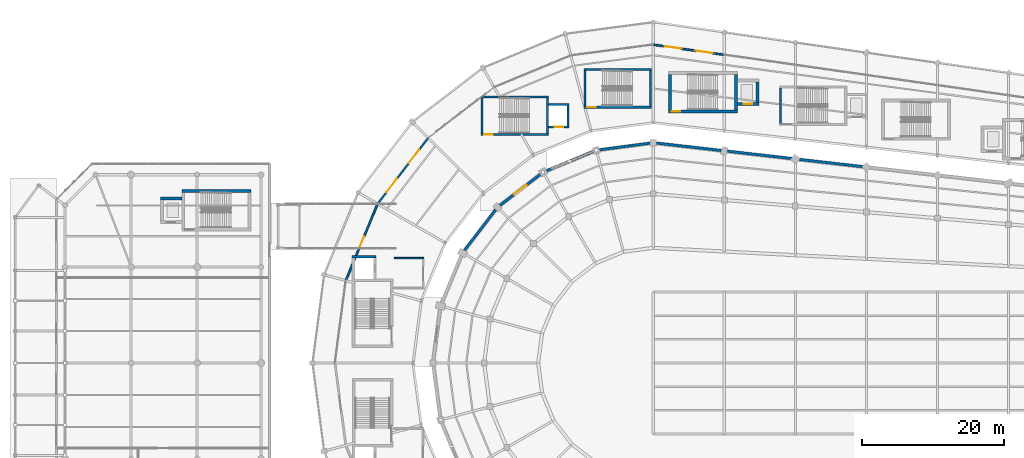
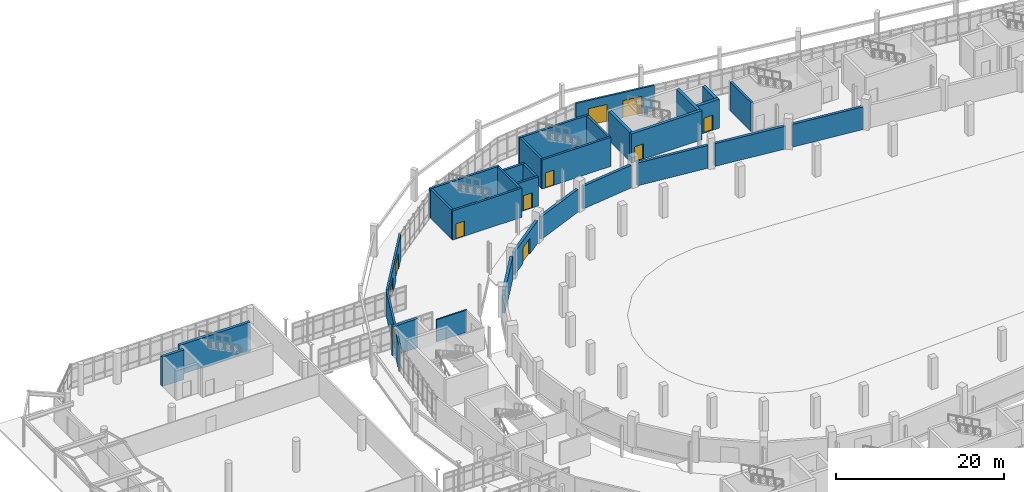
# One storey, part 104 of 122: 31 walls, 11 doors, 11 openings.
"""IFC4 building model written with IfcOpenShell, lengths in metres."""

from ifc_helpers import new_model, si_unit, direction, frame, frame_2d, origin, place, context, subcontext, project, spatial, rectangle, extrude, material, layer, layer_set, type_object, element, fill, save


model = new_model("IFC4")

# Units and contexts
model_context = context("Model", 3, precision=1e-05, world=origin(), true_north=direction((0.0, 1.0)))
body_context = subcontext(model_context, "Body", "Model", "MODEL_VIEW")
ifc_project = project(units=[si_unit("LENGTHUNIT", "METRE"), si_unit("AREAUNIT", "SQUARE_METRE"), si_unit("VOLUMEUNIT", "CUBIC_METRE"), si_unit("PLANEANGLEUNIT", "RADIAN"), si_unit("MASSUNIT", "GRAM", prefix="KILO")], contexts=[model_context])

# Site, building, storey
site_placement = place(None, origin())
site = spatial("IfcSite", under=ifc_project, at=site_placement, CompositionType="ELEMENT")
building_placement = place(site_placement, origin())
building = spatial("IfcBuilding", under=site, at=building_placement, Name="Sohan Crest Arena", CompositionType="ELEMENT")
storey_placement = place(building_placement, origin())
storey = spatial("IfcBuildingStorey", under=building, at=storey_placement, Name="L00", CompositionType="ELEMENT", Elevation=0.0)

# Wall, openings, doors
ifc_material_1 = material(Name="Margalla limestone ashlar envelope wall", Category="masonry")
ifc_layer_1 = layer(ifc_material_1, 0.260009765625, Name="Margalla limestone ashlar envelope wall")
ifc_layer_set_1 = layer_set([ifc_layer_1], Name="Margalla limestone ashlar envelope wall")
wall_type_1 = type_object("IfcWallType", Name="WAL-EW01", PredefinedType="SOLIDWALL", material=ifc_layer_set_1)
wall_1_placement = place(storey_placement, frame((66.322021484375, 109.677978515625, 0.0), z_axis=(0.0, 0.0, 1.0), x_axis=(-0.608804425344, -0.793320346192, 0.0)))
wall_1 = element("IfcWall", 1, at=wall_1_placement, inside=storey, type_object=wall_type_1, Name="External wall EW-073", PredefinedType="SOLIDWALL", context=body_context, shape_type="SweptSolid", body=[
    extrude(rectangle(XDim=11.6953125, YDim=0.260009765625, at=frame_2d((5.84765625, 0.0))), origin(), (0.0, 0.0, 1.0), 3.679931640625),
])
opening_1_placement = place(wall_1_placement, frame((2.074951171875, 0.0, 0.0)))
opening_1 = element("IfcOpeningElement", 2, at=opening_1_placement, cuts=wall_1, Name="Opening G01", PredefinedType="OPENING", context=body_context, shape_type="SweptSolid", body=[
    extrude(rectangle(XDim=2.39990234375, YDim=2.5, at=frame_2d((1.199951171875, 1.25))), frame((0.0, 0.139892578125, 0.0), z_axis=(0.0, -1.0, 0.0), x_axis=(1.0, 0.0, 0.0)), (0.0, 0.0, 1.0), 0.280029296875),
])
opening_2_placement = place(wall_1_placement, frame((7.219970703125, 0.0, 0.0)))
opening_2 = element("IfcOpeningElement", 3, at=opening_2_placement, cuts=wall_1, Name="Opening G02", PredefinedType="OPENING", context=body_context, shape_type="SweptSolid", body=[
    extrude(rectangle(XDim=2.39990234375, YDim=2.5, at=frame_2d((1.199951171875, 1.25))), frame((0.0, 0.139892578125, 0.0), z_axis=(0.0, -1.0, 0.0), x_axis=(1.0, 0.0, 0.0)), (0.0, 0.0, 1.0), 0.280029296875),
])
ifc_material_2 = material(Name="Galvanised steel acoustic final exit door", Category="steel")
door_type_1 = type_object("IfcDoorType", Name="DR-G01", OperationType="DOUBLE_DOOR_SINGLE_SWING", PredefinedType="DOOR", material=ifc_material_2)
door_1_placement = place(opening_1_placement, frame((2.39990234375, 0.0, 0.0), z_axis=(0.0, 0.0, 1.0), x_axis=(-1.0, 0.0, 0.0)))
door_1 = element("IfcDoor", 4, at=door_1_placement, inside=storey, type_object=door_type_1, Name="Pedestrian exit gate G01", OperationType="DOUBLE_DOOR_SINGLE_SWING", OverallHeight=2.5, OverallWidth=2.39990234375, PredefinedType="DOOR", context=body_context, shape_type="SweptSolid", body=[
    extrude(rectangle(XDim=2.39990234375, YDim=2.5, at=frame_2d((1.199951171875, 1.25))), frame((0.0, 0.02490234375, 0.0), z_axis=(0.0, -1.0, 0.0), x_axis=(1.0, 0.0, 0.0)), (0.0, 0.0, 1.0), 0.050048828125),
])
fill(opening_1, door_1)
door_2_placement = place(opening_2_placement, frame((2.39990234375, 0.0, 0.0), z_axis=(0.0, 0.0, 1.0), x_axis=(-1.0, 0.0, 0.0)))
door_2 = element("IfcDoor", 5, at=door_2_placement, inside=storey, type_object=door_type_1, Name="Pedestrian exit gate G02", OperationType="DOUBLE_DOOR_SINGLE_SWING", OverallHeight=2.5, OverallWidth=2.39990234375, PredefinedType="DOOR", context=body_context, shape_type="SweptSolid", body=[
    extrude(rectangle(XDim=2.39990234375, YDim=2.5, at=frame_2d((1.199951171875, 1.25))), frame((0.0, 0.02490234375, 0.0), z_axis=(0.0, -1.0, 0.0), x_axis=(1.0, 0.0, 0.0)), (0.0, 0.0, 1.0), 0.050048828125),
])
fill(opening_2, door_2)

# Wall, opening, door
wall_2_placement = place(storey_placement, frame((59.201904296875, 100.39990234375, 0.0), z_axis=(0.0, 0.0, 1.0), x_axis=(-0.382632655327, -0.923900563414, 0.0)))
wall_2 = element("IfcWall", 6, at=wall_2_placement, inside=storey, type_object=wall_type_1, Name="External wall EW-074", PredefinedType="SOLIDWALL", context=body_context, shape_type="SweptSolid", body=[
    extrude(rectangle(XDim=11.69482421875, YDim=0.260009765625, at=frame_2d((5.847412109375, 0.0))), origin(), (0.0, 0.0, 1.0), 3.679931640625),
])
opening_3_placement = place(wall_2_placement, frame((4.947998046875, 0.0, 0.0)))
opening_3 = element("IfcOpeningElement", 7, at=opening_3_placement, cuts=wall_2, Name="Opening BD-L00-05", PredefinedType="OPENING", context=body_context, shape_type="SweptSolid", body=[
    extrude(rectangle(XDim=1.800048828125, YDim=2.35009765625, at=frame_2d((0.89990234375, 1.175048828125))), frame((0.0, 0.139892578125, 0.0), z_axis=(0.0, -1.0, 0.0), x_axis=(1.0, 0.0, 0.0)), (0.0, 0.0, 1.0), 0.280029296875),
])
ifc_material_3 = material(Name="Glazed aluminium terrace access door", Category="aluminium")
door_type_2 = type_object("IfcDoorType", Name="DR-ED01", OperationType="DOUBLE_DOOR_SINGLE_SWING", PredefinedType="DOOR", material=ifc_material_3)
door_3_placement = place(opening_3_placement, frame((1.800048828125, 0.0, 0.0), z_axis=(0.0, 0.0, 1.0), x_axis=(-1.0, 0.0, 0.0)))
door_3 = element("IfcDoor", 8, at=door_3_placement, inside=storey, type_object=door_type_2, Name="Covered bridge passage door BD-L00-05", OperationType="DOUBLE_DOOR_SINGLE_SWING", OverallHeight=2.35009765625, OverallWidth=1.800048828125, PredefinedType="DOOR", context=body_context, shape_type="SweptSolid", body=[
    extrude(rectangle(XDim=1.800048828125, YDim=2.35009765625, at=frame_2d((0.89990234375, 1.175048828125))), frame((0.0, 0.02490234375, 0.0), z_axis=(0.0, -1.0, 0.0), x_axis=(1.0, 0.0, 0.0)), (0.0, 0.0, 1.0), 0.050048828125),
])
fill(opening_3, door_3)

# Wall, openings, doors
wall_3_placement = place(storey_placement, frame((108.0, 121.37109375, 0.0), z_axis=(0.0, 0.0, 1.0), x_axis=(-0.989944175879, 0.141458575718, 0.0)))
wall_3 = element("IfcWall", 9, at=wall_3_placement, inside=storey, type_object=wall_type_1, Name="External wall EW-087", PredefinedType="SOLIDWALL", context=body_context, shape_type="SweptSolid", body=[
    extrude(rectangle(XDim=10.1015625, YDim=0.260009765625, at=frame_2d((5.05078125, 0.0))), origin(), (0.0, 0.0, 1.0), 3.679931640625),
])
opening_4_placement = place(wall_3_placement, frame((1.6279296875, 0.0, 0.0)))
opening_4 = element("IfcOpeningElement", 10, at=opening_4_placement, cuts=wall_3, Name="Opening G21", PredefinedType="OPENING", context=body_context, shape_type="SweptSolid", body=[
    extrude(rectangle(XDim=2.39990234375, YDim=2.5, at=frame_2d((1.199951171875, 1.25))), frame((0.0, 0.139892578125, 0.0), z_axis=(0.0, -1.0, 0.0), x_axis=(1.0, 0.0, 0.0)), (0.0, 0.0, 1.0), 0.280029296875),
])
opening_5_placement = place(wall_3_placement, frame((6.072998046875, 0.0, 0.0)))
opening_5 = element("IfcOpeningElement", 11, at=opening_5_placement, cuts=wall_3, Name="Opening G22", PredefinedType="OPENING", context=body_context, shape_type="SweptSolid", body=[
    extrude(rectangle(XDim=2.39990234375, YDim=2.5, at=frame_2d((1.199951171875, 1.25))), frame((0.0, 0.139892578125, 0.0), z_axis=(0.0, -1.0, 0.0), x_axis=(1.0, 0.0, 0.0)), (0.0, 0.0, 1.0), 0.280029296875),
])
door_4_placement = place(opening_4_placement, frame((2.39990234375, 0.0, 0.0), z_axis=(0.0, 0.0, 1.0), x_axis=(-1.0, 0.0, 0.0)))
door_4 = element("IfcDoor", 12, at=door_4_placement, inside=storey, type_object=door_type_1, Name="Pedestrian exit gate G21", OperationType="DOUBLE_DOOR_SINGLE_SWING", OverallHeight=2.5, OverallWidth=2.39990234375, PredefinedType="DOOR", context=body_context, shape_type="SweptSolid", body=[
    extrude(rectangle(XDim=2.39990234375, YDim=2.5, at=frame_2d((1.199951171875, 1.25))), frame((0.0, 0.02490234375, 0.0), z_axis=(0.0, -1.0, 0.0), x_axis=(1.0, 0.0, 0.0)), (0.0, 0.0, 1.0), 0.050048828125),
])
fill(opening_4, door_4)
door_5_placement = place(opening_5_placement, frame((2.39990234375, 0.0, 0.0), z_axis=(0.0, 0.0, 1.0), x_axis=(-1.0, 0.0, 0.0)))
door_5 = element("IfcDoor", 13, at=door_5_placement, inside=storey, type_object=door_type_1, Name="Pedestrian exit gate G22", OperationType="DOUBLE_DOOR_SINGLE_SWING", OverallHeight=2.5, OverallWidth=2.39990234375, PredefinedType="DOOR", context=body_context, shape_type="SweptSolid", body=[
    extrude(rectangle(XDim=2.39990234375, YDim=2.5, at=frame_2d((1.199951171875, 1.25))), frame((0.0, 0.02490234375, 0.0), z_axis=(0.0, -1.0, 0.0), x_axis=(1.0, 0.0, 0.0)), (0.0, 0.0, 1.0), 0.050048828125),
])
fill(opening_5, door_5)

# Walls
ifc_material_4 = material(Name="Acoustic insulated bowl drum enclosure wall", Category="masonry")
ifc_layer_2 = layer(ifc_material_4, 0.3701171875, Name="Acoustic insulated bowl drum enclosure wall")
ifc_layer_set_2 = layer_set([ifc_layer_2], Name="Acoustic insulated bowl drum enclosure wall")
wall_type_2 = type_object("IfcWallType", Name="WAL-EW05", PredefinedType="SOLIDWALL", material=ifc_layer_set_2)
wall_4_placement = place(storey_placement, frame((97.56396484375, 108.943115234375, 0.0), z_axis=(0.0, 0.0, 1.0), x_axis=(-0.991432160885, -0.130622625772, 0.0)))
element("IfcWall", 14, at=wall_4_placement, inside=storey, type_object=wall_type_2, Name="Acoustic bowl drum wall BW-L00-01", PredefinedType="SOLIDWALL", context=body_context, shape_type="SweptSolid", body=[
    extrude(rectangle(XDim=7.212646484375, YDim=0.3701171875, at=frame_2d((3.6064453125, 0.0))), origin(), (0.0, 0.0, 1.0), 3.300048828125),
])
wall_5_placement = place(storey_placement, frame((89.570068359375, 107.77587890625, 0.0), z_axis=(0.0, 0.0, 1.0), x_axis=(-0.923828261086, -0.382807189089, 0.0)))
element("IfcWall", 15, at=wall_5_placement, inside=storey, type_object=wall_type_2, Name="Acoustic bowl drum wall BW-L00-02", PredefinedType="SOLIDWALL", context=body_context, shape_type="SweptSolid", body=[
    extrude(rectangle(XDim=7.21240234375, YDim=0.3701171875, at=frame_2d((3.606201171875, 0.0))), origin(), (0.0, 0.0, 1.0), 3.300048828125),
])

# Wall, opening, door
wall_6_placement = place(storey_placement, frame((82.15087890625, 104.5791015625, 0.0), z_axis=(0.0, 0.0, 1.0), x_axis=(-0.793318070515, -0.608807390719, 0.0)))
wall_6 = element("IfcWall", 16, at=wall_6_placement, inside=storey, type_object=wall_type_2, Name="Acoustic bowl drum wall BW-L00-03", PredefinedType="SOLIDWALL", context=body_context, shape_type="SweptSolid", body=[
    extrude(rectangle(XDim=7.212646484375, YDim=0.3701171875, at=frame_2d((3.6064453125, 0.0))), origin(), (0.0, 0.0, 1.0), 3.300048828125),
])
opening_6_placement = place(wall_6_placement, frame((2.506103515625, 0.0, 0.0)))
opening_6 = element("IfcOpeningElement", 17, at=opening_6_placement, cuts=wall_6, Name="Opening VD-L00-03", PredefinedType="OPENING", context=body_context, shape_type="SweptSolid", body=[
    extrude(rectangle(XDim=2.199951171875, YDim=2.300048828125, at=frame_2d((1.10009765625, 1.14990234375))), frame((0.0, 0.195068359375, 0.0), z_axis=(0.0, -1.0, 0.0), x_axis=(1.0, 0.0, 0.0)), (0.0, 0.0, 1.0), 0.39013671875),
])
ifc_material_5 = material(Name="Fire-rated steel double escape door", Category="steel")
door_type_3 = type_object("IfcDoorType", Name="DR-FD01", OperationType="DOUBLE_DOOR_SINGLE_SWING", PredefinedType="DOOR", material=ifc_material_5)
door_6_placement = place(opening_6_placement, origin())
door_6 = element("IfcDoor", 18, at=door_6_placement, inside=storey, type_object=door_type_3, Name="Bowl vomitory portal fire door VD-L00-03", OperationType="DOUBLE_DOOR_SINGLE_SWING", OverallHeight=2.300048828125, OverallWidth=2.199951171875, PredefinedType="DOOR", context=body_context, shape_type="SweptSolid", body=[
    extrude(rectangle(XDim=2.199951171875, YDim=2.300048828125, at=frame_2d((1.10009765625, 1.14990234375))), frame((0.0, 0.02490234375, 0.0), z_axis=(0.0, -1.0, 0.0), x_axis=(1.0, 0.0, 0.0)), (0.0, 0.0, 1.0), 0.050048828125),
])
fill(opening_6, door_6)

# Walls
wall_7_placement = place(storey_placement, frame((75.81201171875, 99.571044921875, 0.0), z_axis=(0.0, 0.0, 1.0), x_axis=(-0.608807390719, -0.793318070515, 0.0)))
element("IfcWall", 19, at=wall_7_placement, inside=storey, type_object=wall_type_2, Name="Acoustic bowl drum wall BW-L00-04", PredefinedType="SOLIDWALL", context=body_context, shape_type="SweptSolid", body=[
    extrude(rectangle(XDim=7.212646484375, YDim=0.3701171875, at=frame_2d((3.6064453125, 0.0))), origin(), (0.0, 0.0, 1.0), 3.300048828125),
])
for number, where, z_axis, x_axis, name in (
    (20, (127.56298828125, 105.62109375, 0.0), (0.0, 0.0, 1.0), (-0.993532672656, 0.113546591161, 0.0), "Acoustic bowl drum wall BW-L00-32"),
    (21, (117.56298828125, 106.763916015625, 0.0), (0.0, 0.0, 1.0), (-0.993532672656, 0.113546591161, 0.0), "Acoustic bowl drum wall BW-L00-33"),
    (22, (107.56298828125, 107.906982421875, 0.0), (0.0, 0.0, 1.0), (-0.993532672656, 0.113546591161, 0.0), "Acoustic bowl drum wall BW-L00-34"),
):
    element("IfcWall", number, at=place(storey_placement, frame(where, z_axis=z_axis, x_axis=x_axis)), inside=storey, type_object=wall_type_2, Name=name, PredefinedType="SOLIDWALL", context=body_context, shape_type="SweptSolid", body=[
        extrude(rectangle(XDim=9.185302734375, YDim=0.3701171875, at=frame_2d((4.5927734375, 0.0))), origin(), (0.0, 0.0, 1.0), 3.300048828125),
    ])
ifc_material_6 = material(Name="Fire-rated masonry blockwork compartment wall", Category="masonry")
ifc_layer_3 = layer(ifc_material_6, 0.199951171875, Name="Fire-rated masonry blockwork compartment wall")
ifc_layer_set_3 = layer_set([ifc_layer_3], Name="Fire-rated masonry blockwork compartment wall")
wall_type_3 = type_object("IfcWallType", Name="WAL-FW01", PredefinedType="PARTITIONING", material=ifc_layer_set_3)
wall_8_placement = place(storey_placement, frame((61.5400390625, 92.75, 0.0), z_axis=(0.0, 0.0, 1.0), x_axis=(1.0, 0.0, 0.0)))
element("IfcWall", 23, at=wall_8_placement, inside=storey, type_object=wall_type_3, Name="Interior partition wall PW-0089", PredefinedType="PARTITIONING", context=body_context, shape_type="SweptSolid", body=[
    extrude(rectangle(XDim=4.179931640625, YDim=0.199951171875, at=frame_2d((2.08984375, 0.0))), origin(), (0.0, 0.0, 1.0), 3.219970703125),
])
ifc_material_7 = material(Name="Concrete C40/50", Category="concrete")
ifc_layer_4 = layer(ifc_material_7, 0.300048828125, Name="Concrete C40/50")
ifc_layer_set_4 = layer_set([ifc_layer_4], Name="Concrete C40/50")
wall_type_4 = type_object("IfcWallType", Name="WAL-SW01", PredefinedType="SHEAR", material=ifc_layer_set_4)
for number, where, z_axis, x_axis, name in (
    (24, (73.89990234375, 110.300048828125, 0.0), (0.0, 0.0, 1.0), (0.0, 1.0, 0.0), "Core shear wall SW-0197"),
    (25, (83.10009765625, 110.300048828125, 0.0), (0.0, 0.0, 1.0), (0.0, 1.0, 0.0), "Core shear wall SW-0198"),
):
    element("IfcWall", number, at=place(storey_placement, frame(where, z_axis=z_axis, x_axis=x_axis)), inside=storey, type_object=wall_type_4, Name=name, PredefinedType="SHEAR", context=body_context, shape_type="SweptSolid", body=[
        extrude(rectangle(XDim=5.0, YDim=0.300048828125, at=frame_2d((2.5, 0.0))), origin(), (0.0, 0.0, 1.0), 4.22509765625),
    ])

# Wall, opening, door
wall_9_placement = place(storey_placement, frame((73.75, 110.14990234375, 0.0), z_axis=(0.0, 0.0, 1.0), x_axis=(1.0, 0.0, 0.0)))
wall_9 = element("IfcWall", 26, at=wall_9_placement, inside=storey, type_object=wall_type_4, Name="Core shear wall SW-0199", PredefinedType="SHEAR", context=body_context, shape_type="SweptSolid", body=[
    extrude(rectangle(XDim=9.5, YDim=0.300048828125, at=frame_2d((4.75, 0.0))), origin(), (0.0, 0.0, 1.0), 4.22509765625),
])
opening_7_placement = place(wall_9_placement, frame((0.449951171875, 0.0, 0.0)))
opening_7 = element("IfcOpeningElement", 27, at=opening_7_placement, cuts=wall_9, Name="Opening SD-0059", PredefinedType="OPENING", context=body_context, shape_type="SweptSolid", body=[
    extrude(rectangle(XDim=1.199951171875, YDim=2.199951171875, at=frame_2d((0.60009765625, 1.10009765625))), frame((0.0, 0.159912109375, 0.0), z_axis=(0.0, -1.0, 0.0), x_axis=(1.0, 0.0, 0.0)), (0.0, 0.0, 1.0), 0.320068359375),
])
ifc_material_8 = material(Name="Fire-rated steel stair and lobby door", Category="steel")
door_type_4 = type_object("IfcDoorType", Name="DR-FD04", OperationType="NOTDEFINED", PredefinedType="DOOR", material=ifc_material_8)
door_7_placement = place(opening_7_placement, frame((1.199951171875, 0.0, 0.0), z_axis=(0.0, 0.0, 1.0), x_axis=(-1.0, 0.0, 0.0)))
door_7 = element("IfcDoor", 28, at=door_7_placement, inside=storey, type_object=door_type_4, Name="Protected stair door SD-0059", OperationType="SINGLE_SWING_LEFT", OverallHeight=2.199951171875, OverallWidth=1.199951171875, PredefinedType="DOOR", context=body_context, shape_type="SweptSolid", body=[
    extrude(rectangle(XDim=1.199951171875, YDim=2.199951171875, at=frame_2d((0.60009765625, 1.10009765625))), frame((0.0, 0.02490234375, 0.0), z_axis=(0.0, -1.0, 0.0), x_axis=(1.0, 0.0, 0.0)), (0.0, 0.0, 1.0), 0.050048828125),
])
fill(opening_7, door_7)

# Walls
wall_10_placement = place(storey_placement, frame((73.75, 115.449951171875, 0.0), z_axis=(0.0, 0.0, 1.0), x_axis=(1.0, 0.0, 0.0)))
element("IfcWall", 29, at=wall_10_placement, inside=storey, type_object=wall_type_4, Name="Core shear wall SW-0200", PredefinedType="SHEAR", context=body_context, shape_type="SweptSolid", body=[
    extrude(rectangle(XDim=9.5, YDim=0.300048828125, at=frame_2d((4.75, 0.0))), origin(), (0.0, 0.0, 1.0), 4.22509765625),
])
wall_11_placement = place(storey_placement, frame((86.0, 111.35009765625, 0.0), z_axis=(0.0, 0.0, 1.0), x_axis=(0.0, 1.0, 0.0)))
element("IfcWall", 30, at=wall_11_placement, inside=storey, type_object=wall_type_4, Name="Core shear wall SW-0201", PredefinedType="SHEAR", context=body_context, shape_type="SweptSolid", body=[
    extrude(rectangle(XDim=2.89990234375, YDim=0.300048828125, at=frame_2d((1.449951171875, 0.0))), origin(), (0.0, 0.0, 1.0), 4.22509765625),
])

# Wall, opening, door
wall_12_placement = place(storey_placement, frame((83.25, 111.199951171875, 0.0), z_axis=(0.0, 0.0, 1.0), x_axis=(1.0, 0.0, 0.0)))
wall_12 = element("IfcWall", 31, at=wall_12_placement, inside=storey, type_object=wall_type_4, Name="Core shear wall SW-0202", PredefinedType="SHEAR", context=body_context, shape_type="SweptSolid", body=[
    extrude(rectangle(XDim=2.89990234375, YDim=0.300048828125, at=frame_2d((1.449951171875, 0.0))), origin(), (0.0, 0.0, 1.0), 4.22509765625),
])
opening_8_placement = place(wall_12_placement, frame((0.85009765625, 0.0, 0.0)))
opening_8 = element("IfcOpeningElement", 32, at=opening_8_placement, cuts=wall_12, Name="Opening LD-LP02-L00", PredefinedType="OPENING", context=body_context, shape_type="SweptSolid", body=[
    extrude(rectangle(XDim=1.199951171875, YDim=2.199951171875, at=frame_2d((0.60009765625, 1.10009765625))), frame((0.0, 0.159912109375, 0.0), z_axis=(0.0, -1.0, 0.0), x_axis=(1.0, 0.0, 0.0)), (0.0, 0.0, 1.0), 0.320068359375),
])
ifc_material_9 = material(Name="Stainless steel passenger lift landing door", Category="steel")
door_type_5 = type_object("IfcDoorType", Name="DR-LD02", OperationType="SLIDING_TO_LEFT", PredefinedType="DOOR", material=ifc_material_9)
door_8_placement = place(opening_8_placement, origin())
door_8 = element("IfcDoor", 33, at=door_8_placement, inside=storey, type_object=door_type_5, Name="Sliding lift landing door LD-LP02-L00", OperationType="SLIDING_TO_LEFT", OverallHeight=2.199951171875, OverallWidth=1.199951171875, PredefinedType="DOOR", context=body_context, shape_type="SweptSolid", body=[
    extrude(rectangle(XDim=1.199951171875, YDim=2.199951171875, at=frame_2d((0.60009765625, 1.10009765625))), frame((0.0, 0.02490234375, 0.0), z_axis=(0.0, -1.0, 0.0), x_axis=(1.0, 0.0, 0.0)), (0.0, 0.0, 1.0), 0.050048828125),
])
fill(opening_8, door_8)

# Walls
wall_13_placement = place(storey_placement, frame((83.25, 114.39990234375, 0.0), z_axis=(0.0, 0.0, 1.0), x_axis=(1.0, 0.0, 0.0)))
element("IfcWall", 34, at=wall_13_placement, inside=storey, type_object=wall_type_4, Name="Core shear wall SW-0203", PredefinedType="SHEAR", context=body_context, shape_type="SweptSolid", body=[
    extrude(rectangle(XDim=2.89990234375, YDim=0.300048828125, at=frame_2d((1.449951171875, 0.0))), origin(), (0.0, 0.0, 1.0), 4.22509765625),
])
for number, where, z_axis, x_axis, name in (
    (35, (115.89990234375, 111.699951171875, 0.0), (0.0, 0.0, 1.0), (0.0, 1.0, 0.0), "Core shear wall SW-0374"),
    (36, (88.39990234375, 114.139892578125, 0.0), (0.0, 0.0, 1.0), (0.0, 1.0, 0.0), "Core shear wall SW-0761"),
    (37, (97.60009765625, 114.139892578125, 0.0), (0.0, 0.0, 1.0), (0.0, 1.0, 0.0), "Core shear wall SW-0762"),
):
    element("IfcWall", number, at=place(storey_placement, frame(where, z_axis=z_axis, x_axis=x_axis)), inside=storey, type_object=wall_type_4, Name=name, PredefinedType="SHEAR", context=body_context, shape_type="SweptSolid", body=[
        extrude(rectangle(XDim=5.0, YDim=0.300048828125, at=frame_2d((2.5, 0.0))), origin(), (0.0, 0.0, 1.0), 4.22509765625),
    ])

# Wall, opening, door
wall_14_placement = place(storey_placement, frame((88.25, 113.989990234375, 0.0), z_axis=(0.0, 0.0, 1.0), x_axis=(1.0, 0.0, 0.0)))
wall_14 = element("IfcWall", 38, at=wall_14_placement, inside=storey, type_object=wall_type_4, Name="Core shear wall SW-0763", PredefinedType="SHEAR", context=body_context, shape_type="SweptSolid", body=[
    extrude(rectangle(XDim=9.5, YDim=0.300048828125, at=frame_2d((4.75, 0.0))), origin(), (0.0, 0.0, 1.0), 4.22509765625),
])
opening_9_placement = place(wall_14_placement, frame((0.449951171875, 0.0, 0.0)))
opening_9 = element("IfcOpeningElement", 39, at=opening_9_placement, cuts=wall_14, Name="Opening SD-0206", PredefinedType="OPENING", context=body_context, shape_type="SweptSolid", body=[
    extrude(rectangle(XDim=1.199951171875, YDim=2.199951171875, at=frame_2d((0.60009765625, 1.10009765625))), frame((0.0, 0.159912109375, 0.0), z_axis=(0.0, -1.0, 0.0), x_axis=(1.0, 0.0, 0.0)), (0.0, 0.0, 1.0), 0.320068359375),
])
door_9_placement = place(opening_9_placement, frame((1.199951171875, 0.0, 0.0), z_axis=(0.0, 0.0, 1.0), x_axis=(-1.0, 0.0, 0.0)))
door_9 = element("IfcDoor", 40, at=door_9_placement, inside=storey, type_object=door_type_4, Name="Protected stair door SD-0206", OperationType="SINGLE_SWING_RIGHT", OverallHeight=2.199951171875, OverallWidth=1.199951171875, PredefinedType="DOOR", context=body_context, shape_type="SweptSolid", body=[
    extrude(rectangle(XDim=1.199951171875, YDim=2.199951171875, at=frame_2d((0.60009765625, 1.10009765625))), frame((0.0, 0.02490234375, 0.0), z_axis=(0.0, -1.0, 0.0), x_axis=(1.0, 0.0, 0.0)), (0.0, 0.0, 1.0), 0.050048828125),
])
fill(opening_9, door_9)

# Walls
wall_15_placement = place(storey_placement, frame((88.25, 119.2900390625, 0.0), z_axis=(0.0, 0.0, 1.0), x_axis=(1.0, 0.0, 0.0)))
element("IfcWall", 41, at=wall_15_placement, inside=storey, type_object=wall_type_4, Name="Core shear wall SW-0764", PredefinedType="SHEAR", context=body_context, shape_type="SweptSolid", body=[
    extrude(rectangle(XDim=9.5, YDim=0.300048828125, at=frame_2d((4.75, 0.0))), origin(), (0.0, 0.0, 1.0), 4.22509765625),
])
ifc_layer_5 = layer(ifc_material_7, 0.39990234375, Name="Concrete C40/50")
ifc_layer_set_5 = layer_set([ifc_layer_5], Name="Concrete C40/50")
wall_type_5 = type_object("IfcWallType", Name="WAL-SW03", PredefinedType="SHEAR", material=ifc_layer_set_5)
wall_16_placement = place(storey_placement, frame((55.60009765625, 92.949951171875, 0.0), z_axis=(0.0, 0.0, 1.0), x_axis=(1.0, 0.0, 0.0)))
element("IfcWall", 42, at=wall_16_placement, inside=storey, type_object=wall_type_5, Name="Core shear wall SW-0087", PredefinedType="SHEAR", context=body_context, shape_type="SweptSolid", body=[
    extrude(rectangle(XDim=3.39990234375, YDim=0.39990234375, at=frame_2d((1.699951171875, 0.0))), origin(), (0.0, 0.0, 1.0), 4.22509765625),
])
for number, where, z_axis, x_axis, name in (
    (43, (100.35009765625, 113.60009765625, 0.0), (0.0, 0.0, 1.0), (0.0, 1.0, 0.0), "Core shear wall SW-0289"),
    (44, (109.64990234375, 113.60009765625, 0.0), (0.0, 0.0, 1.0), (0.0, 1.0, 0.0), "Core shear wall SW-0290"),
):
    element("IfcWall", number, at=place(storey_placement, frame(where, z_axis=z_axis, x_axis=x_axis)), inside=storey, type_object=wall_type_5, Name=name, PredefinedType="SHEAR", context=body_context, shape_type="SweptSolid", body=[
        extrude(rectangle(XDim=5.0, YDim=0.39990234375, at=frame_2d((2.5, 0.0))), origin(), (0.0, 0.0, 1.0), 4.22509765625),
    ])

# Wall, opening, door
wall_17_placement = place(storey_placement, frame((100.14990234375, 113.39990234375, 0.0), z_axis=(0.0, 0.0, 1.0), x_axis=(1.0, 0.0, 0.0)))
wall_17 = element("IfcWall", 45, at=wall_17_placement, inside=storey, type_object=wall_type_5, Name="Core shear wall SW-0291", PredefinedType="SHEAR", context=body_context, shape_type="SweptSolid", body=[
    extrude(rectangle(XDim=9.7001953125, YDim=0.39990234375, at=frame_2d((4.85009765625, 0.0))), origin(), (0.0, 0.0, 1.0), 4.22509765625),
])
opening_10_placement = place(wall_17_placement, frame((0.449951171875, 0.0, 0.0)))
opening_10 = element("IfcOpeningElement", 46, at=opening_10_placement, cuts=wall_17, Name="Opening SD-0083", PredefinedType="OPENING", context=body_context, shape_type="SweptSolid", body=[
    extrude(rectangle(XDim=1.199951171875, YDim=2.199951171875, at=frame_2d((0.60009765625, 1.10009765625))), frame((0.0, 0.2099609375, 0.0), z_axis=(0.0, -1.0, 0.0), x_axis=(1.0, 0.0, 0.0)), (0.0, 0.0, 1.0), 0.419921875),
])
door_10_placement = place(opening_10_placement, frame((1.199951171875, 0.0, 0.0), z_axis=(0.0, 0.0, 1.0), x_axis=(-1.0, 0.0, 0.0)))
door_10 = element("IfcDoor", 47, at=door_10_placement, inside=storey, type_object=door_type_4, Name="Protected stair door SD-0083", OperationType="SINGLE_SWING_LEFT", OverallHeight=2.199951171875, OverallWidth=1.199951171875, PredefinedType="DOOR", context=body_context, shape_type="SweptSolid", body=[
    extrude(rectangle(XDim=1.199951171875, YDim=2.199951171875, at=frame_2d((0.60009765625, 1.10009765625))), frame((0.0, 0.02490234375, 0.0), z_axis=(0.0, -1.0, 0.0), x_axis=(1.0, 0.0, 0.0)), (0.0, 0.0, 1.0), 0.050048828125),
])
fill(opening_10, door_10)

# Wall
wall_18_placement = place(storey_placement, frame((112.64990234375, 114.64990234375, 0.0), z_axis=(0.0, 0.0, 1.0), x_axis=(0.0, 1.0, 0.0)))
element("IfcWall", 48, at=wall_18_placement, inside=storey, type_object=wall_type_5, Name="Core shear wall SW-0293", PredefinedType="SHEAR", context=body_context, shape_type="SweptSolid", body=[
    extrude(rectangle(XDim=2.900146484375, YDim=0.39990234375, at=frame_2d((1.4501953125, 0.0))), origin(), (0.0, 0.0, 1.0), 4.22509765625),
])

# Wall, opening, door
wall_19_placement = place(storey_placement, frame((109.85009765625, 114.449951171875, 0.0), z_axis=(0.0, 0.0, 1.0), x_axis=(1.0, 0.0, 0.0)))
wall_19 = element("IfcWall", 49, at=wall_19_placement, inside=storey, type_object=wall_type_5, Name="Core shear wall SW-0294", PredefinedType="SHEAR", context=body_context, shape_type="SweptSolid", body=[
    extrude(rectangle(XDim=3.0, YDim=0.39990234375, at=frame_2d((1.5, 0.0))), origin(), (0.0, 0.0, 1.0), 4.22509765625),
])
opening_11_placement = place(wall_19_placement, frame((0.89990234375, 0.0, 0.0)))
opening_11 = element("IfcOpeningElement", 50, at=opening_11_placement, cuts=wall_19, Name="Opening LD-LP04-L00", PredefinedType="OPENING", context=body_context, shape_type="SweptSolid", body=[
    extrude(rectangle(XDim=1.199951171875, YDim=2.199951171875, at=frame_2d((0.60009765625, 1.10009765625))), frame((0.0, 0.2099609375, 0.0), z_axis=(0.0, -1.0, 0.0), x_axis=(1.0, 0.0, 0.0)), (0.0, 0.0, 1.0), 0.419921875),
])
door_11_placement = place(opening_11_placement, origin())
door_11 = element("IfcDoor", 51, at=door_11_placement, inside=storey, type_object=door_type_5, Name="Sliding lift landing door LD-LP04-L00", OperationType="SLIDING_TO_LEFT", OverallHeight=2.199951171875, OverallWidth=1.199951171875, PredefinedType="DOOR", context=body_context, shape_type="SweptSolid", body=[
    extrude(rectangle(XDim=1.199951171875, YDim=2.199951171875, at=frame_2d((0.60009765625, 1.10009765625))), frame((0.0, 0.02490234375, 0.0), z_axis=(0.0, -1.0, 0.0), x_axis=(1.0, 0.0, 0.0)), (0.0, 0.0, 1.0), 0.050048828125),
])
fill(opening_11, door_11)

# Walls
wall_20_placement = place(storey_placement, frame((31.64990234375, 102.199951171875, 0.0), z_axis=(0.0, 0.0, 1.0), x_axis=(1.0, 0.0, 0.0)))
element("IfcWall", 52, at=wall_20_placement, inside=storey, type_object=wall_type_5, Name="Core shear wall SW-0563", PredefinedType="SHEAR", context=body_context, shape_type="SweptSolid", body=[
    extrude(rectangle(XDim=9.7001953125, YDim=0.39990234375, at=frame_2d((4.85009765625, 0.0))), origin(), (0.0, 0.0, 1.0), 4.2900390625),
])
wall_21_placement = place(storey_placement, frame((28.64990234375, 101.14990234375, 0.0), z_axis=(0.0, 0.0, 1.0), x_axis=(1.0, 0.0, 0.0)))
element("IfcWall", 53, at=wall_21_placement, inside=storey, type_object=wall_type_5, Name="Core shear wall SW-0566", PredefinedType="SHEAR", context=body_context, shape_type="SweptSolid", body=[
    extrude(rectangle(XDim=3.0, YDim=0.39990234375, at=frame_2d((1.5, 0.0))), origin(), (0.0, 0.0, 1.0), 4.2900390625),
])

save(model, "model.ifc")
